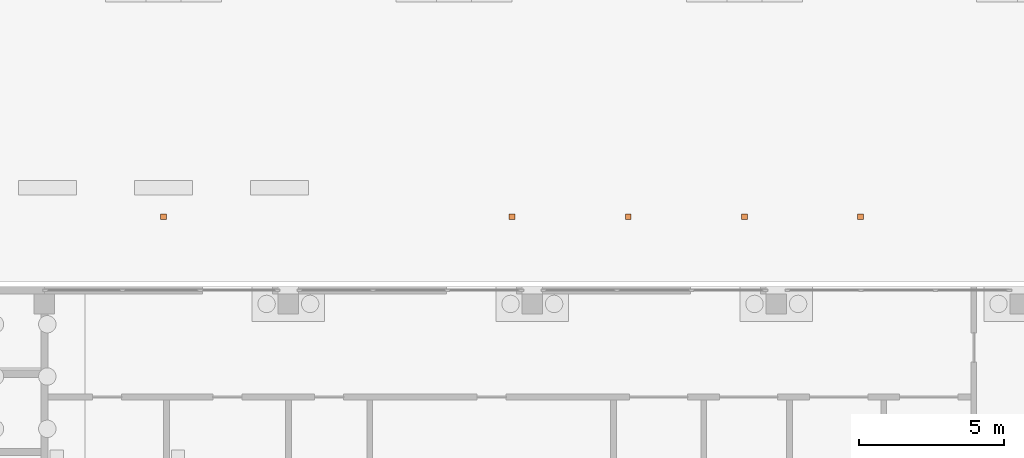
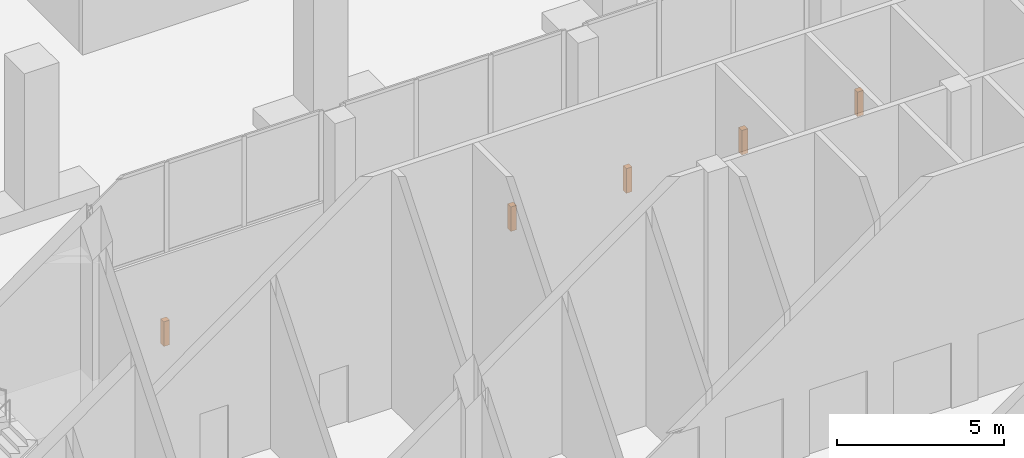
# One storey, part 46 of 46: 5 proxies.
"""IFC4 building model written with IfcOpenShell, lengths in metres."""

from ifc_helpers import new_model, si_unit, direction, frame, origin, origin_2d, place, context, subcontext, project, spatial, rectangle, extrude, element, save


model = new_model("IFC4")

# Units and contexts
model_context = context("Model", 3, precision=1e-05, world=origin(), true_north=direction((0.0, 1.0)))
body_context = subcontext(model_context, "Body", "Model", "MODEL_VIEW")
ifc_project = project(units=[si_unit("LENGTHUNIT", "METRE"), si_unit("AREAUNIT", "SQUARE_METRE"), si_unit("VOLUMEUNIT", "CUBIC_METRE"), si_unit("PLANEANGLEUNIT", "RADIAN"), si_unit("MASSUNIT", "GRAM", prefix="KILO")], contexts=[model_context])

# Site, building, storey
site_placement = place(None, origin())
site = spatial("IfcSite", under=ifc_project, at=site_placement, CompositionType="ELEMENT")
building_placement = place(site_placement, origin())
building = spatial("IfcBuilding", under=site, at=building_placement, Name="Vermilion Gate Residences", CompositionType="ELEMENT")
storey_placement = place(building_placement, origin())
storey = spatial("IfcBuildingStorey", under=building, at=storey_placement, Name="L00", CompositionType="ELEMENT", Elevation=0.0)

# Proxies
for number, where, z_axis, x_axis, name in (
    (1, (80.0, 36.0, 0.0), (0.0, 0.0, 1.0), (1.0, 0.0, 0.0), "Bollard 1"),
    (2, (92.0, 36.0, 0.0), (0.0, 0.0, 1.0), (1.0, 0.0, 0.0), "Bollard 2"),
    (3, (96.0, 36.0, 0.0), (0.0, 0.0, 1.0), (1.0, 0.0, 0.0), "Bollard 3"),
    (4, (100.0, 36.0, 0.0), (0.0, 0.0, 1.0), (1.0, 0.0, 0.0), "Bollard 4"),
    (5, (104.0, 36.0, 0.0), (0.0, 0.0, 1.0), (1.0, 0.0, 0.0), "Bollard 5"),
):
    element("IfcBuildingElementProxy", number, at=place(storey_placement, frame(where, z_axis=z_axis, x_axis=x_axis)), inside=storey, Name=name, ObjectType="BOLLARD", PredefinedType="USERDEFINED", context=body_context, shape_type="SweptSolid", body=[
        extrude(rectangle(XDim=0.199951171875, YDim=0.199951171875, at=origin_2d()), origin(), (0.0, 0.0, 1.0), 0.89990234375),
    ])

save(model, "model.ifc")
